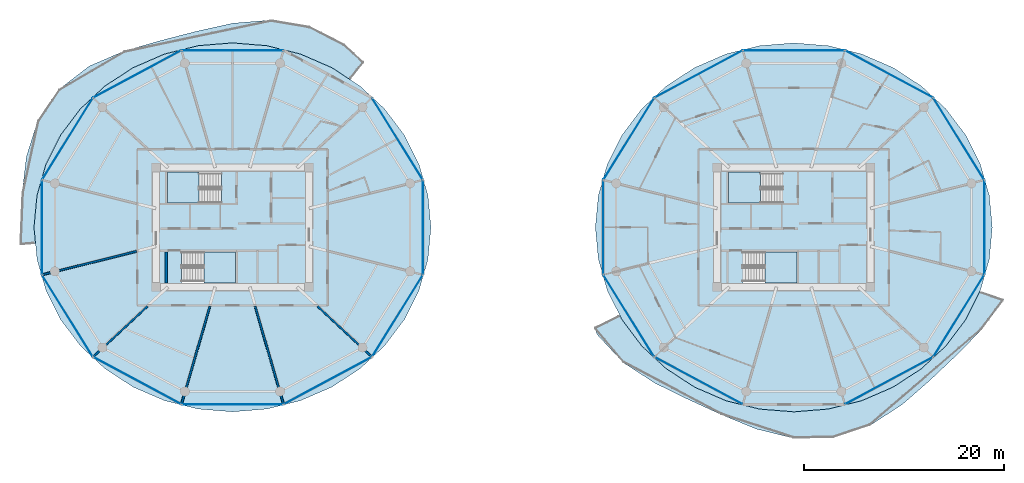
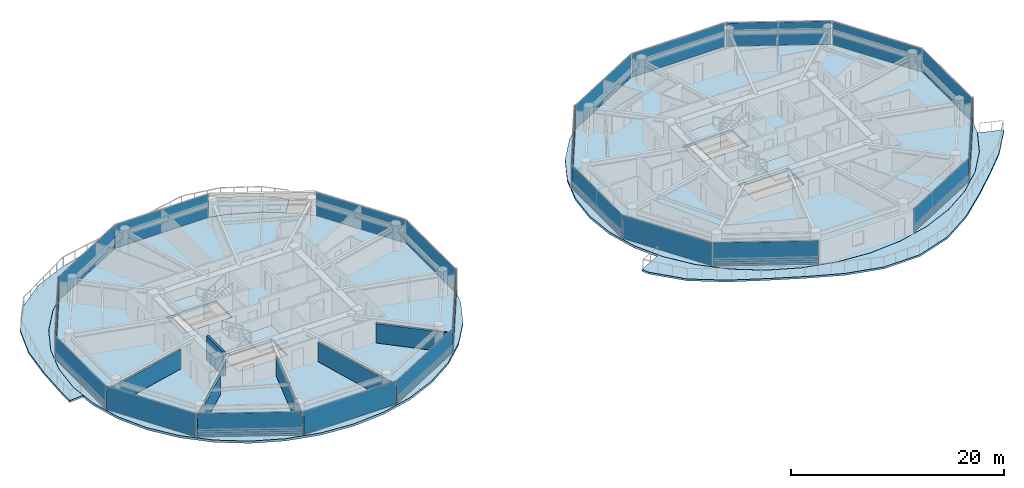
# One storey, part 14 of 25: 22 plates, 8 slabs, 6 walls, 26 elements without a shape of their own.
"""IFC4 building model written with IfcOpenShell, lengths in metres."""

from ifc_helpers import new_model, si_unit, direction, frame, frame_2d, origin, origin_2d, place, context, subcontext, project, spatial, polyline, rectangle, outline, extrude, source, transform, mapped, material, layer, layer_set, type_object, type_shapes, element, aggregate, save


model = new_model("IFC4")

# Units and contexts
model_context = context("Model", 3, precision=1e-05, world=origin(), true_north=direction((0.0, 1.0)))
body_context = subcontext(model_context, "Body", "Model", "MODEL_VIEW")
ifc_project = project(units=[si_unit("LENGTHUNIT", "METRE"), si_unit("AREAUNIT", "SQUARE_METRE"), si_unit("VOLUMEUNIT", "CUBIC_METRE"), si_unit("PLANEANGLEUNIT", "RADIAN"), si_unit("MASSUNIT", "GRAM", prefix="KILO")], contexts=[model_context])

# Site, building, storey
site_placement = place(None, origin())
site = spatial("IfcSite", under=ifc_project, at=site_placement, CompositionType="ELEMENT")
building_placement = place(site_placement, origin())
building = spatial("IfcBuilding", under=site, at=building_placement, Name="Norrkilde Senior Care Towers", CompositionType="ELEMENT")
storey_placement = place(building_placement, frame((0.0, 0.0, 27.699951171875)))
storey = spatial("IfcBuildingStorey", under=building, at=storey_placement, Name="L07", CompositionType="ELEMENT", Elevation=27.699951171875)

# Slabs
ifc_material_1 = material(Name="Concrete C50/60", Category="concrete")
ifc_layer_1 = layer(ifc_material_1, 0.215087890625)
ifc_layer_set_1 = layer_set([ifc_layer_1], Name="Concrete C50/60")
slab_type_1 = type_object("IfcSlabType", Name="Sinusoidal Balcony Ribbon Slab 215", PredefinedType="FLOOR", material=ifc_layer_set_1)
slab_1_placement = place(storey_placement, frame((0.0, 0.0, -0.21484375)))
element("IfcSlab", 1, at=slab_1_placement, inside=storey, type_object=slab_type_1, Name="L07 Drum W Swirling Senior Balcony 1", PredefinedType="FLOOR", context=body_context, shape_type="SweptSolid", body=[
    extrude(outline(polyline([(-48.987060546875, 3.477294921875), (-48.559326171875, 7.058349609375), (-47.44140625, 10.625244140625), (-45.314453125, 13.765625), (-42.286376953125, 16.0947265625), (-38.79150390625, 17.596435546875), (-35.22265625, 18.62255859375), (-31.671142578125, 19.542236328125), (-28.0, 20.36376953125), (-24.14111328125, 20.6884765625), (-20.299072265625, 20.037109375), (-16.85009765625, 18.264404296875), (-14.882080078125, 16.46337890625), (-16.255126953125, 14.740234375), (-18.097412109375, 15.939208984375), (-21.226318359375, 17.294921875), (-24.560791015625, 18.12548828125), (-28.0, 18.405029296875), (-31.439208984375, 18.12548828125), (-34.773681640625, 17.294921875), (-37.902587890625, 15.939208984375), (-40.73046875, 14.09912109375), (-43.171630859375, 11.83056640625), (-45.151611328125, 9.202392578125), (-46.610595703125, 6.294921875), (-47.504150390625, 3.196044921875), (-47.804931640625, 0.0), (-47.65185546875, -1.6259765625), (-49.197998046875, -1.75390625), (-49.1669921875, 0.0), (-48.987060546875, 3.477294921875)])), origin(), (0.0, 0.0, 1.0), 0.21484375),
])
slab_2_placement = place(storey_placement, frame((0.0, 0.0, -0.21484375)))
element("IfcSlab", 2, at=slab_2_placement, inside=storey, type_object=slab_type_1, Name="L07 Drum E Swirling Senior Balcony 1", PredefinedType="FLOOR", context=body_context, shape_type="SweptSolid", body=[
    extrude(outline(polyline([(46.748779296875, -10.195068359375), (44.21142578125, -12.769775390625), (41.613037109375, -15.2314453125), (38.828369140625, -17.665283203125), (35.605712890625, -19.75537109375), (31.906982421875, -20.98193359375), (28.0, -21.04345703125), (24.235595703125, -20.111083984375), (20.7578125, -18.6806640625), (17.44384765625, -17.157958984375), (14.14453125, -15.5419921875), (10.985107421875, -13.495361328125), (8.40380859375, -10.721435546875), (8.083251953125, -10.015380859375), (10.616943359375, -8.7412109375), (10.848388671875, -9.202392578125), (12.828369140625, -11.83056640625), (15.26953125, -14.09912109375), (18.097412109375, -15.939208984375), (21.226318359375, -17.294921875), (24.560791015625, -18.12548828125), (28.0, -18.405029296875), (31.439208984375, -18.12548828125), (34.773681640625, -17.294921875), (37.902587890625, -15.939208984375), (40.73046875, -14.09912109375), (43.171630859375, -11.83056640625), (45.151611328125, -9.202392578125), (46.56298828125, -6.3896484375), (48.96728515625, -7.21728515625), (48.967041015625, -7.218017578125), (46.748779296875, -10.195068359375)])), origin(), (0.0, 0.0, 1.0), 0.21484375),
])

# Stair, slab
ifc_material_2 = material(Name="Concrete C45/55", Category="concrete")
stair_type = type_object("IfcStairType", Name="Core Protected Dogleg Stair Typical 3050", PredefinedType="HALF_TURN_STAIR", material=ifc_material_2)
stair_1_placement = place(storey_placement, origin())
stair_1 = element("IfcStair", 3, at=stair_1_placement, inside=storey, type_object=stair_type, Name="L07 Protected Core Stair W1", PredefinedType="HALF_TURN_STAIR")
ifc_layer_2 = layer(ifc_material_2, 0.199951171875)
ifc_layer_set_2 = layer_set([ifc_layer_2], Name="Concrete C45/55")
slab_type_2 = type_object("IfcSlabType", Name="Stair Landing Slab 200", PredefinedType="LANDING", material=ifc_layer_set_2)
slab_3_placement = place(storey_placement, frame((0.0, 0.0, 1.324951171875)))
slab_3 = element("IfcSlab", 4, at=slab_3_placement, type_object=slab_type_2, Name="ST-W1 landing 1", PredefinedType="LANDING", context=body_context, shape_type="SweptSolid", body=[
    extrude(outline(polyline([(-31.340087890625, 5.52490234375), (-34.5, 5.52490234375), (-34.5, 2.449951171875), (-31.340087890625, 2.449951171875), (-31.340087890625, 5.52490234375)])), origin(), (0.0, 0.0, 1.0), 0.2001953125),
])
aggregate(stair_1, [slab_3])

stair_2_placement = place(storey_placement, origin())
stair_2 = element("IfcStair", 5, at=stair_2_placement, inside=storey, type_object=stair_type, Name="L07 Protected Core Stair W2", PredefinedType="HALF_TURN_STAIR")
slab_4_placement = place(storey_placement, frame((0.0, 0.0, 1.324951171875)))
slab_4 = element("IfcSlab", 6, at=slab_4_placement, type_object=slab_type_2, Name="ST-W2 landing 1", PredefinedType="LANDING", context=body_context, shape_type="SweptSolid", body=[
    extrude(outline(polyline([(-30.860107421875, -5.52490234375), (-27.699951171875, -5.52490234375), (-27.699951171875, -2.449951171875), (-30.860107421875, -2.449951171875), (-30.860107421875, -5.52490234375)])), origin(), (0.0, 0.0, 1.0), 0.2001953125),
])
aggregate(stair_2, [slab_4])

stair_3_placement = place(storey_placement, origin())
stair_3 = element("IfcStair", 7, at=stair_3_placement, inside=storey, type_object=stair_type, Name="L07 Protected Core Stair E1", PredefinedType="HALF_TURN_STAIR")
slab_5_placement = place(storey_placement, frame((0.0, 0.0, 1.324951171875)))
slab_5 = element("IfcSlab", 8, at=slab_5_placement, type_object=slab_type_2, Name="ST-E1 landing 1", PredefinedType="LANDING", context=body_context, shape_type="SweptSolid", body=[
    extrude(outline(polyline([(24.659912109375, 5.52490234375), (21.5, 5.52490234375), (21.5, 2.449951171875), (24.659912109375, 2.449951171875), (24.659912109375, 5.52490234375)])), origin(), (0.0, 0.0, 1.0), 0.2001953125),
])
aggregate(stair_3, [slab_5])

stair_4_placement = place(storey_placement, origin())
stair_4 = element("IfcStair", 9, at=stair_4_placement, inside=storey, type_object=stair_type, Name="L07 Protected Core Stair E2", PredefinedType="HALF_TURN_STAIR")
slab_6_placement = place(storey_placement, frame((0.0, 0.0, 1.324951171875)))
slab_6 = element("IfcSlab", 10, at=slab_6_placement, type_object=slab_type_2, Name="ST-E2 landing 1", PredefinedType="LANDING", context=body_context, shape_type="SweptSolid", body=[
    extrude(outline(polyline([(25.139892578125, -5.52490234375), (28.300048828125, -5.52490234375), (28.300048828125, -2.449951171875), (25.139892578125, -2.449951171875), (25.139892578125, -5.52490234375)])), origin(), (0.0, 0.0, 1.0), 0.2001953125),
])
aggregate(stair_4, [slab_6])

# Slabs
ifc_layer_3 = layer(ifc_material_1, 0.260009765625)
ifc_layer_set_3 = layer_set([ifc_layer_3], Name="Concrete C50/60")
slab_type_3 = type_object("IfcSlabType", Name="Tower Care Floor Slab 260", PredefinedType="FLOOR", material=ifc_layer_set_3)
slab_7_placement = place(storey_placement, frame((0.0, 0.0, -0.260009765625)))
element("IfcSlab", 11, at=slab_7_placement, inside=storey, type_object=slab_type_3, Name="L07 Drum W Structural Floor Slab", PredefinedType="FLOOR", context=body_context, shape_type="SweptSolid", body=[
    extrude(outline(polyline([(-9.39404296875, -6.293212890625), (-10.852783203125, -9.199951171875), (-12.832275390625, -11.827392578125), (-15.272705078125, -14.09521484375), (-18.10009765625, -15.934814453125), (-21.22802734375, -17.290283203125), (-24.561767578125, -18.120361328125), (-28.0, -18.39990234375), (-31.438232421875, -18.120361328125), (-34.77197265625, -17.290283203125), (-37.89990234375, -15.934814453125), (-40.727294921875, -14.09521484375), (-43.167724609375, -11.827392578125), (-45.147216796875, -9.199951171875), (-46.60595703125, -6.293212890625), (-47.499267578125, -3.195068359375), (-47.800048828125, 0.0), (-47.499267578125, 3.195068359375), (-46.60595703125, 6.293212890625), (-45.147216796875, 9.199951171875), (-43.167724609375, 11.827392578125), (-40.727294921875, 14.09521484375), (-37.89990234375, 15.934814453125), (-34.77197265625, 17.290283203125), (-31.438232421875, 18.120361328125), (-28.0, 18.39990234375), (-24.561767578125, 18.120361328125), (-21.22802734375, 17.290283203125), (-18.10009765625, 15.934814453125), (-15.272705078125, 14.09521484375), (-12.832275390625, 11.827392578125), (-10.852783203125, 9.199951171875), (-9.39404296875, 6.293212890625), (-8.500732421875, 3.195068359375), (-8.199951171875, 0.0), (-8.500732421875, -3.195068359375), (-9.39404296875, -6.293212890625)]), holes=[polyline([(-34.48193359375, 2.468017578125), (-29.117919921875, 2.468017578125), (-29.117919921875, 5.52490234375), (-34.48193359375, 5.52490234375), (-34.48193359375, 2.468017578125)]), polyline([(-27.718017578125, -5.52490234375), (-27.718017578125, -2.468017578125), (-33.08203125, -2.468017578125), (-33.08203125, -5.52490234375), (-27.718017578125, -5.52490234375)])]), origin(), (0.0, 0.0, 1.0), 0.260009765625),
])
slab_8_placement = place(storey_placement, frame((0.0, 0.0, -0.260009765625)))
element("IfcSlab", 12, at=slab_8_placement, inside=storey, type_object=slab_type_3, Name="L07 Drum E Structural Floor Slab", PredefinedType="FLOOR", context=body_context, shape_type="SweptSolid", body=[
    extrude(outline(polyline([(46.60595703125, -6.293212890625), (45.147216796875, -9.199951171875), (43.167724609375, -11.827392578125), (40.727294921875, -14.09521484375), (37.89990234375, -15.934814453125), (34.77197265625, -17.290283203125), (31.438232421875, -18.120361328125), (28.0, -18.39990234375), (24.561767578125, -18.120361328125), (21.22802734375, -17.290283203125), (18.10009765625, -15.934814453125), (15.272705078125, -14.09521484375), (12.832275390625, -11.827392578125), (10.852783203125, -9.199951171875), (9.39404296875, -6.293212890625), (8.500732421875, -3.195068359375), (8.199951171875, 0.0), (8.500732421875, 3.195068359375), (9.39404296875, 6.293212890625), (10.852783203125, 9.199951171875), (12.832275390625, 11.827392578125), (15.272705078125, 14.09521484375), (18.10009765625, 15.934814453125), (21.22802734375, 17.290283203125), (24.561767578125, 18.120361328125), (28.0, 18.39990234375), (31.438232421875, 18.120361328125), (34.77197265625, 17.290283203125), (37.89990234375, 15.934814453125), (40.727294921875, 14.09521484375), (43.167724609375, 11.827392578125), (45.147216796875, 9.199951171875), (46.60595703125, 6.293212890625), (47.499267578125, 3.195068359375), (47.800048828125, 0.0), (47.499267578125, -3.195068359375), (46.60595703125, -6.293212890625)]), holes=[polyline([(21.51806640625, 2.468017578125), (26.882080078125, 2.468017578125), (26.882080078125, 5.52490234375), (21.51806640625, 5.52490234375), (21.51806640625, 2.468017578125)]), polyline([(28.281982421875, -5.52490234375), (28.281982421875, -2.468017578125), (22.91796875, -2.468017578125), (22.91796875, -5.52490234375), (28.281982421875, -5.52490234375)])]), origin(), (0.0, 0.0, 1.0), 0.260009765625),
])

# Curtain wall, plate
ifc_material_3 = material(Name="Triple Low-E Insulated Glazing", Category="glass")
ifc_layer_4 = layer(ifc_material_3, 0.199951171875)
ifc_layer_set_4 = layer_set([ifc_layer_4], Name="Triple Low-E Insulated Glazing")
curtain_wall_type = type_object("IfcCurtainWallType", Name="CW2 Zone 1 Memory Care Curtain Wall", PredefinedType="NOTDEFINED", material=ifc_layer_set_4)
curtain_wall_1_placement = place(storey_placement, origin())
curtain_wall_1 = element("IfcCurtainWall", 13, at=curtain_wall_1_placement, inside=storey, type_object=curtain_wall_type, Name="L07 Drum W Curtain Wall 00", PredefinedType="NOTDEFINED")
ifc_layer_5 = layer(ifc_material_3, 0.035888671875)
ifc_layer_set_5 = layer_set([ifc_layer_5], Name="Triple Low-E Insulated Glazing")
plate_type = type_object("IfcPlateType", Name="Triple Low-E Vision Curtain Panel 36", PredefinedType="CURTAIN_PANEL", material=ifc_layer_set_5)
shared_shape_1 = source(origin(), body_context, "Body", "SweptSolid", [
    extrude(rectangle(XDim=9.518798828125, YDim=0.035888671875, at=origin_2d()), origin(), (0.0, 0.0, 1.0), 2.669921875),
])
plate_1_placement = place(storey_placement, frame((-11.537353515625, 8.82861328125, 0.06005859375), z_axis=(0.0, 0.0, 1.0), x_axis=(0.527900951871, -0.849305943117, 0.0)))
plate_1 = element("IfcPlate", 14, at=plate_1_placement, type_object=plate_type, Name="CW-2 panel 1.1", PredefinedType="CURTAIN_PANEL", context=body_context, shape_type="MappedRepresentation", body=[
    mapped(shared_shape_1, transform((0.0, 0.0, 0.0), x_axis=(1.0, 0.0, 0.0), y_axis=(0.0, 1.0, 0.0), z_axis=(0.0, 0.0, 1.0), scale=1.0)),
])
aggregate(curtain_wall_1, [plate_1])

curtain_wall_2_placement = place(storey_placement, origin())
curtain_wall_2 = element("IfcCurtainWall", 15, at=curtain_wall_2_placement, inside=storey, type_object=curtain_wall_type, Name="L07 Drum W Curtain Wall 04", PredefinedType="NOTDEFINED")
plate_2_placement = place(storey_placement, frame((-44.462646484375, 8.82861328125, 0.06005859375), z_axis=(0.0, 0.0, 1.0), x_axis=(0.527900951871, 0.849305943117, 0.0)))
plate_2 = element("IfcPlate", 16, at=plate_2_placement, type_object=plate_type, Name="CW-2 panel 1.1", PredefinedType="CURTAIN_PANEL", context=body_context, shape_type="MappedRepresentation", body=[
    mapped(shared_shape_1, transform((0.0, 0.0, 0.0), x_axis=(1.0, 0.0, 0.0), y_axis=(0.0, 1.0, 0.0), z_axis=(0.0, 0.0, 1.0), scale=1.0)),
])
aggregate(curtain_wall_2, [plate_2])

curtain_wall_3_placement = place(storey_placement, origin())
curtain_wall_3 = element("IfcCurtainWall", 17, at=curtain_wall_3_placement, inside=storey, type_object=curtain_wall_type, Name="L07 Drum W Curtain Wall 06", PredefinedType="NOTDEFINED")
plate_3_placement = place(storey_placement, frame((-44.462646484375, -8.82861328125, 0.06005859375), z_axis=(0.0, 0.0, 1.0), x_axis=(-0.527900951871, 0.849305943117, 0.0)))
plate_3 = element("IfcPlate", 18, at=plate_3_placement, type_object=plate_type, Name="CW-2 panel 1.1", PredefinedType="CURTAIN_PANEL", context=body_context, shape_type="MappedRepresentation", body=[
    mapped(shared_shape_1, transform((0.0, 0.0, 0.0), x_axis=(1.0, 0.0, 0.0), y_axis=(0.0, 1.0, 0.0), z_axis=(0.0, 0.0, 1.0), scale=1.0)),
])
aggregate(curtain_wall_3, [plate_3])

curtain_wall_4_placement = place(storey_placement, origin())
curtain_wall_4 = element("IfcCurtainWall", 19, at=curtain_wall_4_placement, inside=storey, type_object=curtain_wall_type, Name="L07 Drum W Curtain Wall 10", PredefinedType="NOTDEFINED")
plate_4_placement = place(storey_placement, frame((-11.537353515625, -8.82861328125, 0.06005859375), z_axis=(0.0, 0.0, 1.0), x_axis=(-0.527900951871, -0.849305943117, 0.0)))
plate_4 = element("IfcPlate", 20, at=plate_4_placement, type_object=plate_type, Name="CW-2 panel 1.1", PredefinedType="CURTAIN_PANEL", context=body_context, shape_type="MappedRepresentation", body=[
    mapped(shared_shape_1, transform((0.0, 0.0, 0.0), x_axis=(1.0, 0.0, 0.0), y_axis=(0.0, 1.0, 0.0), z_axis=(0.0, 0.0, 1.0), scale=1.0)),
])
aggregate(curtain_wall_4, [plate_4])

curtain_wall_5_placement = place(storey_placement, origin())
curtain_wall_5 = element("IfcCurtainWall", 21, at=curtain_wall_5_placement, inside=storey, type_object=curtain_wall_type, Name="L07 Drum E Curtain Wall 00", PredefinedType="NOTDEFINED")
plate_5_placement = place(storey_placement, frame((44.462646484375, 8.82861328125, 0.06005859375), z_axis=(0.0, 0.0, 1.0), x_axis=(0.527900951871, -0.849305943117, 0.0)))
plate_5 = element("IfcPlate", 22, at=plate_5_placement, type_object=plate_type, Name="CW-2 panel 1.1", PredefinedType="CURTAIN_PANEL", context=body_context, shape_type="MappedRepresentation", body=[
    mapped(shared_shape_1, transform((0.0, 0.0, 0.0), x_axis=(1.0, 0.0, 0.0), y_axis=(0.0, 1.0, 0.0), z_axis=(0.0, 0.0, 1.0), scale=1.0)),
])
aggregate(curtain_wall_5, [plate_5])

curtain_wall_6_placement = place(storey_placement, origin())
curtain_wall_6 = element("IfcCurtainWall", 23, at=curtain_wall_6_placement, inside=storey, type_object=curtain_wall_type, Name="L07 Drum E Curtain Wall 04", PredefinedType="NOTDEFINED")
plate_6_placement = place(storey_placement, frame((11.537353515625, 8.82861328125, 0.06005859375), z_axis=(0.0, 0.0, 1.0), x_axis=(0.527900951871, 0.849305943117, 0.0)))
plate_6 = element("IfcPlate", 24, at=plate_6_placement, type_object=plate_type, Name="CW-2 panel 1.1", PredefinedType="CURTAIN_PANEL", context=body_context, shape_type="MappedRepresentation", body=[
    mapped(shared_shape_1, transform((0.0, 0.0, 0.0), x_axis=(1.0, 0.0, 0.0), y_axis=(0.0, 1.0, 0.0), z_axis=(0.0, 0.0, 1.0), scale=1.0)),
])
aggregate(curtain_wall_6, [plate_6])

curtain_wall_7_placement = place(storey_placement, origin())
curtain_wall_7 = element("IfcCurtainWall", 25, at=curtain_wall_7_placement, inside=storey, type_object=curtain_wall_type, Name="L07 Drum E Curtain Wall 06", PredefinedType="NOTDEFINED")
plate_7_placement = place(storey_placement, frame((11.537353515625, -8.82861328125, 0.06005859375), z_axis=(0.0, 0.0, 1.0), x_axis=(-0.527900951871, 0.849305943117, 0.0)))
plate_7 = element("IfcPlate", 26, at=plate_7_placement, type_object=plate_type, Name="CW-2 panel 1.1", PredefinedType="CURTAIN_PANEL", context=body_context, shape_type="MappedRepresentation", body=[
    mapped(shared_shape_1, transform((0.0, 0.0, 0.0), x_axis=(1.0, 0.0, 0.0), y_axis=(0.0, 1.0, 0.0), z_axis=(0.0, 0.0, 1.0), scale=1.0)),
])
aggregate(curtain_wall_7, [plate_7])

curtain_wall_8_placement = place(storey_placement, origin())
curtain_wall_8 = element("IfcCurtainWall", 27, at=curtain_wall_8_placement, inside=storey, type_object=curtain_wall_type, Name="L07 Drum E Curtain Wall 10", PredefinedType="NOTDEFINED")
plate_8_placement = place(storey_placement, frame((44.462646484375, -8.82861328125, 0.06005859375), z_axis=(0.0, 0.0, 1.0), x_axis=(-0.527900951871, -0.849305943117, 0.0)))
plate_8 = element("IfcPlate", 28, at=plate_8_placement, type_object=plate_type, Name="CW-2 panel 1.1", PredefinedType="CURTAIN_PANEL", context=body_context, shape_type="MappedRepresentation", body=[
    mapped(shared_shape_1, transform((0.0, 0.0, 0.0), x_axis=(1.0, 0.0, 0.0), y_axis=(0.0, 1.0, 0.0), z_axis=(0.0, 0.0, 1.0), scale=1.0)),
])
aggregate(curtain_wall_8, [plate_8])

curtain_wall_9_placement = place(storey_placement, origin())
curtain_wall_9 = element("IfcCurtainWall", 29, at=curtain_wall_9_placement, inside=storey, type_object=curtain_wall_type, Name="L07 Drum W Curtain Wall 03", PredefinedType="NOTDEFINED")
shared_shape_2 = source(origin(), body_context, "Body", "SweptSolid", [
    extrude(rectangle(XDim=9.880859375, YDim=0.035888671875, at=origin_2d()), origin(), (0.0, 0.0, 1.0), 2.669921875),
])
plate_9_placement = place(storey_placement, frame((-37.504638671875, 15.29150390625, 0.06005859375), z_axis=(0.0, 0.0, 1.0), x_axis=(0.881272866403, 0.472607802456, 0.0)))
plate_9 = element("IfcPlate", 30, at=plate_9_placement, type_object=plate_type, Name="CW-2 panel 1.1", PredefinedType="CURTAIN_PANEL", context=body_context, shape_type="MappedRepresentation", body=[
    mapped(shared_shape_2, transform((0.0, 0.0, 0.0), x_axis=(1.0, 0.0, 0.0), y_axis=(0.0, 1.0, 0.0), z_axis=(0.0, 0.0, 1.0), scale=1.0)),
])
aggregate(curtain_wall_9, [plate_9])

curtain_wall_10_placement = place(storey_placement, origin())
curtain_wall_10 = element("IfcCurtainWall", 31, at=curtain_wall_10_placement, inside=storey, type_object=curtain_wall_type, Name="L07 Drum W Curtain Wall 07", PredefinedType="NOTDEFINED")
plate_10_placement = place(storey_placement, frame((-37.504638671875, -15.29150390625, 0.06005859375), z_axis=(0.0, 0.0, 1.0), x_axis=(-0.881272866403, 0.472607802456, 0.0)))
plate_10 = element("IfcPlate", 32, at=plate_10_placement, type_object=plate_type, Name="CW-2 panel 1.1", PredefinedType="CURTAIN_PANEL", context=body_context, shape_type="MappedRepresentation", body=[
    mapped(shared_shape_2, transform((0.0, 0.0, 0.0), x_axis=(1.0, 0.0, 0.0), y_axis=(0.0, 1.0, 0.0), z_axis=(0.0, 0.0, 1.0), scale=1.0)),
])
aggregate(curtain_wall_10, [plate_10])

curtain_wall_11_placement = place(storey_placement, origin())
curtain_wall_11 = element("IfcCurtainWall", 33, at=curtain_wall_11_placement, inside=storey, type_object=curtain_wall_type, Name="L07 Drum W Curtain Wall 09", PredefinedType="NOTDEFINED")
plate_11_placement = place(storey_placement, frame((-18.495361328125, -15.29150390625, 0.06005859375), z_axis=(0.0, 0.0, 1.0), x_axis=(-0.881272866403, -0.472607802456, 0.0)))
plate_11 = element("IfcPlate", 34, at=plate_11_placement, type_object=plate_type, Name="CW-2 panel 1.1", PredefinedType="CURTAIN_PANEL", context=body_context, shape_type="MappedRepresentation", body=[
    mapped(shared_shape_2, transform((0.0, 0.0, 0.0), x_axis=(1.0, 0.0, 0.0), y_axis=(0.0, 1.0, 0.0), z_axis=(0.0, 0.0, 1.0), scale=1.0)),
])
aggregate(curtain_wall_11, [plate_11])

curtain_wall_12_placement = place(storey_placement, origin())
curtain_wall_12 = element("IfcCurtainWall", 35, at=curtain_wall_12_placement, inside=storey, type_object=curtain_wall_type, Name="L07 Drum E Curtain Wall 01", PredefinedType="NOTDEFINED")
plate_12_placement = place(storey_placement, frame((37.504638671875, 15.29150390625, 0.06005859375), z_axis=(0.0, 0.0, 1.0), x_axis=(0.881272866403, -0.472607802456, 0.0)))
plate_12 = element("IfcPlate", 36, at=plate_12_placement, type_object=plate_type, Name="CW-2 panel 1.1", PredefinedType="CURTAIN_PANEL", context=body_context, shape_type="MappedRepresentation", body=[
    mapped(shared_shape_2, transform((0.0, 0.0, 0.0), x_axis=(1.0, 0.0, 0.0), y_axis=(0.0, 1.0, 0.0), z_axis=(0.0, 0.0, 1.0), scale=1.0)),
])
aggregate(curtain_wall_12, [plate_12])

curtain_wall_13_placement = place(storey_placement, origin())
curtain_wall_13 = element("IfcCurtainWall", 37, at=curtain_wall_13_placement, inside=storey, type_object=curtain_wall_type, Name="L07 Drum E Curtain Wall 03", PredefinedType="NOTDEFINED")
plate_13_placement = place(storey_placement, frame((18.495361328125, 15.29150390625, 0.06005859375), z_axis=(0.0, 0.0, 1.0), x_axis=(0.881272866403, 0.472607802456, 0.0)))
plate_13 = element("IfcPlate", 38, at=plate_13_placement, type_object=plate_type, Name="CW-2 panel 1.1", PredefinedType="CURTAIN_PANEL", context=body_context, shape_type="MappedRepresentation", body=[
    mapped(shared_shape_2, transform((0.0, 0.0, 0.0), x_axis=(1.0, 0.0, 0.0), y_axis=(0.0, 1.0, 0.0), z_axis=(0.0, 0.0, 1.0), scale=1.0)),
])
aggregate(curtain_wall_13, [plate_13])

curtain_wall_14_placement = place(storey_placement, origin())
curtain_wall_14 = element("IfcCurtainWall", 39, at=curtain_wall_14_placement, inside=storey, type_object=curtain_wall_type, Name="L07 Drum E Curtain Wall 07", PredefinedType="NOTDEFINED")
plate_14_placement = place(storey_placement, frame((18.495361328125, -15.29150390625, 0.06005859375), z_axis=(0.0, 0.0, 1.0), x_axis=(-0.881272866403, 0.472607802456, 0.0)))
plate_14 = element("IfcPlate", 40, at=plate_14_placement, type_object=plate_type, Name="CW-2 panel 1.1", PredefinedType="CURTAIN_PANEL", context=body_context, shape_type="MappedRepresentation", body=[
    mapped(shared_shape_2, transform((0.0, 0.0, 0.0), x_axis=(1.0, 0.0, 0.0), y_axis=(0.0, 1.0, 0.0), z_axis=(0.0, 0.0, 1.0), scale=1.0)),
])
aggregate(curtain_wall_14, [plate_14])

curtain_wall_15_placement = place(storey_placement, origin())
curtain_wall_15 = element("IfcCurtainWall", 41, at=curtain_wall_15_placement, inside=storey, type_object=curtain_wall_type, Name="L07 Drum E Curtain Wall 09", PredefinedType="NOTDEFINED")
plate_15_placement = place(storey_placement, frame((37.504638671875, -15.29150390625, 0.06005859375), z_axis=(0.0, 0.0, 1.0), x_axis=(-0.881272866403, -0.472607802456, 0.0)))
plate_15 = element("IfcPlate", 42, at=plate_15_placement, type_object=plate_type, Name="CW-2 panel 1.1", PredefinedType="CURTAIN_PANEL", context=body_context, shape_type="MappedRepresentation", body=[
    mapped(shared_shape_2, transform((0.0, 0.0, 0.0), x_axis=(1.0, 0.0, 0.0), y_axis=(0.0, 1.0, 0.0), z_axis=(0.0, 0.0, 1.0), scale=1.0)),
])
aggregate(curtain_wall_15, [plate_15])

curtain_wall_16_placement = place(storey_placement, origin())
curtain_wall_16 = element("IfcCurtainWall", 43, at=curtain_wall_16_placement, inside=storey, type_object=curtain_wall_type, Name="L07 Drum W Curtain Wall 05", PredefinedType="NOTDEFINED")
shared_shape_3 = source(origin(), body_context, "Body", "SweptSolid", [
    extrude(rectangle(XDim=9.33251953125, YDim=0.035888671875, at=origin_2d()), origin(), (0.0, 0.0, 1.0), 2.669921875),
])
plate_16_placement = place(storey_placement, frame((-47.009521484375, 0.0, 0.06005859375), z_axis=(0.0, 0.0, 1.0), x_axis=(0.0, 1.0, 0.0)))
plate_16 = element("IfcPlate", 44, at=plate_16_placement, type_object=plate_type, Name="CW-2 panel 1.1", PredefinedType="CURTAIN_PANEL", context=body_context, shape_type="MappedRepresentation", body=[
    mapped(shared_shape_3, transform((0.0, 0.0, 0.0), x_axis=(1.0, 0.0, 0.0), y_axis=(0.0, 1.0, 0.0), z_axis=(0.0, 0.0, 1.0), scale=1.0)),
])
aggregate(curtain_wall_16, [plate_16])

curtain_wall_17_placement = place(storey_placement, origin())
curtain_wall_17 = element("IfcCurtainWall", 45, at=curtain_wall_17_placement, inside=storey, type_object=curtain_wall_type, Name="L07 Drum W Curtain Wall 11", PredefinedType="NOTDEFINED")
plate_17_placement = place(storey_placement, frame((-8.990478515625, 0.0, 0.06005859375), z_axis=(0.0, 0.0, 1.0), x_axis=(0.0, -1.0, 0.0)))
plate_17 = element("IfcPlate", 46, at=plate_17_placement, type_object=plate_type, Name="CW-2 panel 1.1", PredefinedType="CURTAIN_PANEL", context=body_context, shape_type="MappedRepresentation", body=[
    mapped(shared_shape_3, transform((0.0, 0.0, 0.0), x_axis=(1.0, 0.0, 0.0), y_axis=(0.0, 1.0, 0.0), z_axis=(0.0, 0.0, 1.0), scale=1.0)),
])
aggregate(curtain_wall_17, [plate_17])

curtain_wall_18_placement = place(storey_placement, origin())
curtain_wall_18 = element("IfcCurtainWall", 47, at=curtain_wall_18_placement, inside=storey, type_object=curtain_wall_type, Name="L07 Drum E Curtain Wall 05", PredefinedType="NOTDEFINED")
plate_18_placement = place(storey_placement, frame((8.990478515625, 0.0, 0.06005859375), z_axis=(0.0, 0.0, 1.0), x_axis=(0.0, 1.0, 0.0)))
plate_18 = element("IfcPlate", 48, at=plate_18_placement, type_object=plate_type, Name="CW-2 panel 1.1", PredefinedType="CURTAIN_PANEL", context=body_context, shape_type="MappedRepresentation", body=[
    mapped(shared_shape_3, transform((0.0, 0.0, 0.0), x_axis=(1.0, 0.0, 0.0), y_axis=(0.0, 1.0, 0.0), z_axis=(0.0, 0.0, 1.0), scale=1.0)),
])
aggregate(curtain_wall_18, [plate_18])

curtain_wall_19_placement = place(storey_placement, origin())
curtain_wall_19 = element("IfcCurtainWall", 49, at=curtain_wall_19_placement, inside=storey, type_object=curtain_wall_type, Name="L07 Drum E Curtain Wall 11", PredefinedType="NOTDEFINED")
plate_19_placement = place(storey_placement, frame((47.009521484375, 0.0, 0.06005859375), z_axis=(0.0, 0.0, 1.0), x_axis=(0.0, -1.0, 0.0)))
plate_19 = element("IfcPlate", 50, at=plate_19_placement, type_object=plate_type, Name="CW-2 panel 1.1", PredefinedType="CURTAIN_PANEL", context=body_context, shape_type="MappedRepresentation", body=[
    mapped(shared_shape_3, transform((0.0, 0.0, 0.0), x_axis=(1.0, 0.0, 0.0), y_axis=(0.0, 1.0, 0.0), z_axis=(0.0, 0.0, 1.0), scale=1.0)),
])
aggregate(curtain_wall_19, [plate_19])

curtain_wall_20_placement = place(storey_placement, origin())
curtain_wall_20 = element("IfcCurtainWall", 51, at=curtain_wall_20_placement, inside=storey, type_object=curtain_wall_type, Name="L07 Drum W Curtain Wall 02", PredefinedType="NOTDEFINED")
shared_shape_4 = source(origin(), body_context, "Body", "SweptSolid", [
    extrude(rectangle(XDim=10.05712890625, YDim=0.035888671875, at=origin_2d()), origin(), (0.0, 0.0, 1.0), 2.669921875),
])
type_shapes(plate_type, [shared_shape_1, shared_shape_2, shared_shape_3, shared_shape_4])
plate_20_placement = place(storey_placement, frame((-28.0, 17.6572265625, 0.06005859375), z_axis=(0.0, 0.0, 1.0), x_axis=(1.0, 0.0, 0.0)))
plate_20 = element("IfcPlate", 52, at=plate_20_placement, type_object=plate_type, Name="CW-2 panel 1.1", PredefinedType="CURTAIN_PANEL", context=body_context, shape_type="MappedRepresentation", body=[
    mapped(shared_shape_4, transform((0.0, 0.0, 0.0), x_axis=(1.0, 0.0, 0.0), y_axis=(0.0, 1.0, 0.0), z_axis=(0.0, 0.0, 1.0), scale=1.0)),
])
aggregate(curtain_wall_20, [plate_20])

curtain_wall_21_placement = place(storey_placement, origin())
curtain_wall_21 = element("IfcCurtainWall", 53, at=curtain_wall_21_placement, inside=storey, type_object=curtain_wall_type, Name="L07 Drum W Curtain Wall 08", PredefinedType="NOTDEFINED")
plate_21_placement = place(storey_placement, frame((-28.0, -17.6572265625, 0.06005859375), z_axis=(0.0, 0.0, 1.0), x_axis=(-1.0, 0.0, 0.0)))
plate_21 = element("IfcPlate", 54, at=plate_21_placement, type_object=plate_type, Name="CW-2 panel 1.1", PredefinedType="CURTAIN_PANEL", context=body_context, shape_type="MappedRepresentation", body=[
    mapped(shared_shape_4, transform((0.0, 0.0, 0.0), x_axis=(1.0, 0.0, 0.0), y_axis=(0.0, 1.0, 0.0), z_axis=(0.0, 0.0, 1.0), scale=1.0)),
])
aggregate(curtain_wall_21, [plate_21])

curtain_wall_22_placement = place(storey_placement, origin())
curtain_wall_22 = element("IfcCurtainWall", 55, at=curtain_wall_22_placement, inside=storey, type_object=curtain_wall_type, Name="L07 Drum E Curtain Wall 02", PredefinedType="NOTDEFINED")
plate_22_placement = place(storey_placement, frame((28.0, 17.6572265625, 0.06005859375), z_axis=(0.0, 0.0, 1.0), x_axis=(1.0, 0.0, 0.0)))
plate_22 = element("IfcPlate", 56, at=plate_22_placement, type_object=plate_type, Name="CW-2 panel 1.1", PredefinedType="CURTAIN_PANEL", context=body_context, shape_type="MappedRepresentation", body=[
    mapped(shared_shape_4, transform((0.0, 0.0, 0.0), x_axis=(1.0, 0.0, 0.0), y_axis=(0.0, 1.0, 0.0), z_axis=(0.0, 0.0, 1.0), scale=1.0)),
])
aggregate(curtain_wall_22, [plate_22])

# Walls
ifc_layer_6 = layer(ifc_material_2, 0.239990234375)
ifc_layer_set_6 = layer_set([ifc_layer_6], Name="Concrete C45/55")
wall_type_1 = type_object("IfcWallType", Name="Shaft and Stair Enclosure Wall 240", PredefinedType="PARTITIONING", material=ifc_layer_set_6)
shared_shape_5 = source(origin(), body_context, "Body", "SweptSolid", [
    extrude(rectangle(XDim=3.074951171875, YDim=0.239990234375, at=frame_2d((1.53759765625, 0.0))), origin(), (0.0, 0.0, 1.0), 2.7900390625),
])
type_shapes(wall_type_1, [shared_shape_5])
wall_1_placement = place(storey_placement, frame((-34.6201171875, -5.52490234375, 0.0), z_axis=(0.0, 0.0, 1.0), x_axis=(0.0, 1.0, 0.0)))
element("IfcWall", 57, at=wall_1_placement, inside=storey, type_object=wall_type_1, Name="WL-INT-L07-W-ST2W", PredefinedType="PARTITIONING", context=body_context, shape_type="MappedRepresentation", body=[
    mapped(shared_shape_5, transform((0.0, 0.0, 0.0), x_axis=(1.0, 0.0, 0.0), y_axis=(0.0, 1.0, 0.0), z_axis=(0.0, 0.0, 1.0), scale=1.0)),
])
ifc_material_4 = material(Name="Gypsum Acoustic Board")
ifc_layer_7 = layer(ifc_material_4, 0.18994140625)
ifc_layer_set_7 = layer_set([ifc_layer_7], Name="Gypsum Acoustic Board")
wall_type_2 = type_object("IfcWallType", Name="Unit Demising Acoustic Wall 190", PredefinedType="PARTITIONING", material=ifc_layer_set_7)
shared_shape_6 = source(origin(), body_context, "Body", "SweptSolid", [
    extrude(rectangle(XDim=7.4345703125, YDim=0.18994140625, at=frame_2d((3.71728515625, 0.0))), origin(), (0.0, 0.0, 1.0), 2.22509765625),
])
for number, where, z_axis, x_axis, name in (
    (58, (-36.48291015625, -7.8798828125, 0.0), (0.0, 0.0, 1.0), (-0.732651956848, -0.680603489652, 0.0), "WL-INT-L07-W-DEM-07-0"),
    (59, (-19.51708984375, -7.8798828125, 0.0), (0.0, 0.0, 1.0), (0.732651956848, -0.680603489652, 0.0), "WL-INT-L07-W-DEM-10-0"),
):
    element("IfcWall", number, at=place(storey_placement, frame(where, z_axis=z_axis, x_axis=x_axis)), inside=storey, type_object=wall_type_2, Name=name, PredefinedType="PARTITIONING", context=body_context, shape_type="MappedRepresentation", body=[
        mapped(shared_shape_6, transform((0.0, 0.0, 0.0), x_axis=(1.0, 0.0, 0.0), y_axis=(0.0, 1.0, 0.0), z_axis=(0.0, 0.0, 1.0), scale=1.0)),
    ])
shared_shape_7 = source(origin(), body_context, "Body", "SweptSolid", [
    extrude(rectangle(XDim=10.196044921875, YDim=0.18994140625, at=frame_2d((5.09814453125, 0.0))), origin(), (0.0, 0.0, 1.0), 2.22509765625),
])
for number, where, z_axis, x_axis, name in (
    (60, (-30.27294921875, -7.8798828125, 0.0), (0.0, 0.0, 1.0), (-0.277136420347, -0.960830580549, 0.0), "WL-INT-L07-W-DEM-08-0"),
    (61, (-25.72705078125, -7.8798828125, 0.0), (0.0, 0.0, 1.0), (0.277136420347, -0.960830580549, 0.0), "WL-INT-L07-W-DEM-09-0"),
):
    element("IfcWall", number, at=place(storey_placement, frame(where, z_axis=z_axis, x_axis=x_axis)), inside=storey, type_object=wall_type_2, Name=name, PredefinedType="PARTITIONING", context=body_context, shape_type="MappedRepresentation", body=[
        mapped(shared_shape_7, transform((0.0, 0.0, 0.0), x_axis=(1.0, 0.0, 0.0), y_axis=(0.0, 1.0, 0.0), z_axis=(0.0, 0.0, 1.0), scale=1.0)),
    ])
shared_shape_8 = source(origin(), body_context, "Body", "SweptSolid", [
    extrude(rectangle(XDim=9.737060546875, YDim=0.18994140625, at=frame_2d((4.86865234375, 0.0))), origin(), (0.0, 0.0, 1.0), 2.22509765625),
])
type_shapes(wall_type_2, [shared_shape_6, shared_shape_7, shared_shape_8])
wall_2_placement = place(storey_placement, frame((-37.580078125, -2.384521484375, 0.0), z_axis=(0.0, 0.0, 1.0), x_axis=(-0.970392716238, -0.241532557375, 0.0)))
element("IfcWall", 62, at=wall_2_placement, inside=storey, type_object=wall_type_2, Name="WL-INT-L07-W-DEM-06-0", PredefinedType="PARTITIONING", context=body_context, shape_type="MappedRepresentation", body=[
    mapped(shared_shape_8, transform((0.0, 0.0, 0.0), x_axis=(1.0, 0.0, 0.0), y_axis=(0.0, 1.0, 0.0), z_axis=(0.0, 0.0, 1.0), scale=1.0)),
])

save(model, "model.ifc")
